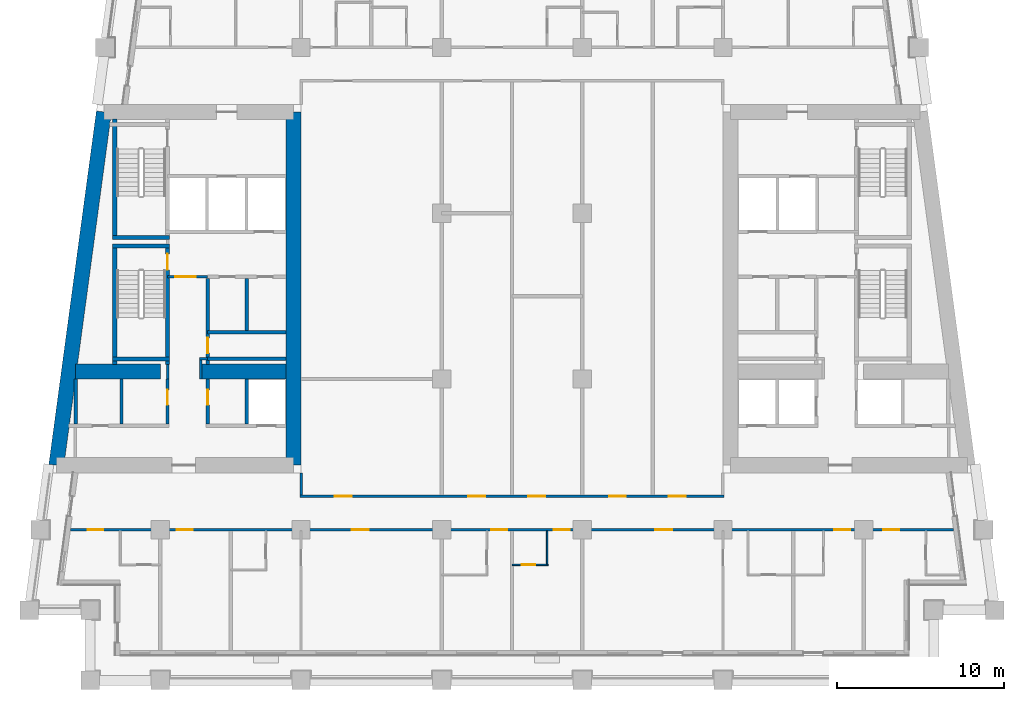
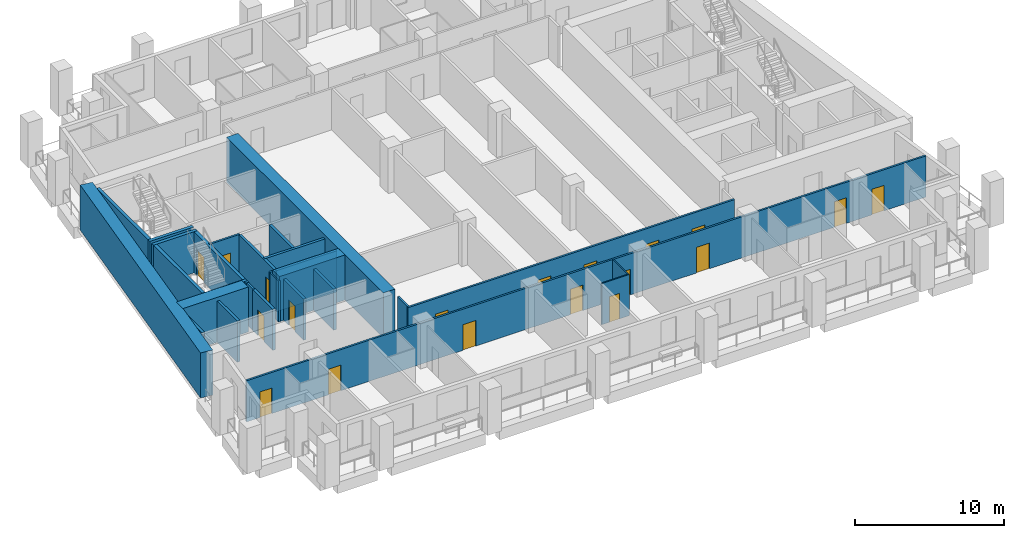
# One storey, part 3 of 13: 28 walls, 19 doors, 19 openings.
"""IFC4 building model written with IfcOpenShell, lengths in metres."""

from ifc_helpers import new_model, si_unit, direction, frame, frame_2d, origin, place, context, subcontext, project, spatial, rectangle, extrude, material, layer, layer_set, type_object, element, fill, save


model = new_model("IFC4")

# Units and contexts
model_context = context("Model", 3, precision=1e-05, world=origin(), true_north=direction((0.0, 1.0)))
body_context = subcontext(model_context, "Body", "Model", "MODEL_VIEW")
ifc_project = project(units=[si_unit("LENGTHUNIT", "METRE"), si_unit("AREAUNIT", "SQUARE_METRE"), si_unit("VOLUMEUNIT", "CUBIC_METRE"), si_unit("PLANEANGLEUNIT", "RADIAN"), si_unit("MASSUNIT", "GRAM", prefix="KILO")], contexts=[model_context])

# Site, building, storey
site_placement = place(None, origin())
site = spatial("IfcSite", under=ifc_project, at=site_placement, CompositionType="ELEMENT")
building_placement = place(site_placement, origin())
building = spatial("IfcBuilding", under=site, at=building_placement, Name="Candeia Pilgrim Tower and Theatre", CompositionType="ELEMENT")
storey_placement = place(building_placement, frame((0.0, 0.0, 158.89990234375)))
storey = spatial("IfcBuildingStorey", under=building, at=storey_placement, Name="L37", CompositionType="ELEMENT", Elevation=158.89990234375)

# Walls
ifc_material_1 = material(Name="Concrete C60/75", Category="concrete")
ifc_layer_1 = layer(ifc_material_1, 0.89990234375)
ifc_layer_set_1 = layer_set([ifc_layer_1], Name="Core wall 900 C60/75")
wall_type_1 = type_object("IfcWallType", Name="Core wall 900 C60/75", PredefinedType="SHEAR", material=ifc_layer_set_1)
wall_1_placement = place(storey_placement, frame((100.35009765625, 131.949951171875, 0.0), z_axis=(0.0, 0.0, 1.0), x_axis=(0.0, -1.0, 0.0)))
element("IfcWall", 1, at=wall_1_placement, inside=storey, type_object=wall_type_1, Name="Core wall W2", PredefinedType="SHEAR", context=body_context, shape_type="SweptSolid", body=[
    extrude(rectangle(XDim=21.099853515625, YDim=0.89990234375, at=frame_2d((10.5498046875, 0.0))), origin(), (0.0, 0.0, 1.0), 3.7001953125),
])
wall_2_placement = place(storey_placement, frame((86.183837890625, 110.85009765625, 0.0), z_axis=(0.0, 0.0, 1.0), x_axis=(0.133410495943, 0.991060865725, 0.0)))
element("IfcWall", 2, at=wall_2_placement, inside=storey, type_object=wall_type_1, Name="Core wall W4", PredefinedType="SHEAR", context=body_context, shape_type="SweptSolid", body=[
    extrude(rectangle(XDim=21.290283203125, YDim=0.89990234375, at=frame_2d((10.64501953125, 0.0))), origin(), (0.0, 0.0, 1.0), 3.7001953125),
])
wall_3_placement = place(storey_placement, frame((87.322998046875, 116.449951171875, 0.0), z_axis=(0.0, 0.0, 1.0), x_axis=(1.0, 0.0, 0.0)))
element("IfcWall", 3, at=wall_3_placement, inside=storey, type_object=wall_type_1, Name="Core wall W5", PredefinedType="SHEAR", context=body_context, shape_type="SweptSolid", body=[
    extrude(rectangle(XDim=5.076904296875, YDim=0.89990234375, at=frame_2d((2.53857421875, 0.0))), origin(), (0.0, 0.0, 1.0), 3.7001953125),
])
wall_4_placement = place(storey_placement, frame((94.800048828125, 116.449951171875, 0.0), z_axis=(0.0, 0.0, 1.0), x_axis=(1.0, 0.0, 0.0)))
element("IfcWall", 4, at=wall_4_placement, inside=storey, type_object=wall_type_1, Name="Core wall W6", PredefinedType="SHEAR", context=body_context, shape_type="SweptSolid", body=[
    extrude(rectangle(XDim=5.099853515625, YDim=0.89990234375, at=frame_2d((2.5498046875, 0.0))), origin(), (0.0, 0.0, 1.0), 3.7001953125),
])

# Wall, opening, door
ifc_material_2 = material(Name="Gypsum board partition on steel studs", Category="steel")
ifc_layer_2 = layer(ifc_material_2, 0.10009765625)
ifc_layer_set_2 = layer_set([ifc_layer_2], Name="PW-100 room partition")
wall_type_2 = type_object("IfcWallType", Name="PW-100 room partition", PredefinedType="PARTITIONING", material=ifc_layer_set_2)
wall_5_placement = place(storey_placement, frame((113.39990234375, 104.89990234375, 0.0), z_axis=(0.0, 0.0, 1.0), x_axis=(1.0, 0.0, 0.0)))
wall_5 = element("IfcWall", 5, at=wall_5_placement, inside=storey, type_object=wall_type_2, Name="Room partition L37-006", PredefinedType="PARTITIONING", context=body_context, shape_type="SweptSolid", body=[
    extrude(rectangle(XDim=2.150146484375, YDim=0.10009765625, at=frame_2d((1.0751953125, 0.0))), origin(), (0.0, 0.0, 1.0), 3.380126953125),
])
opening_1_placement = place(wall_5_placement, frame((0.590087890625, 0.0, 0.0)))
opening_1 = element("IfcOpeningElement", 6, at=opening_1_placement, cuts=wall_5, Name="Opening L37-D026", PredefinedType="OPENING", context=body_context, shape_type="SweptSolid", body=[
    extrude(rectangle(XDim=0.800048828125, YDim=2.10009765625, at=frame_2d((0.39990234375, 1.050048828125))), frame((0.0, 0.06005859375, 0.0), z_axis=(0.0, -1.0, 0.0), x_axis=(1.0, 0.0, 0.0)), (0.0, 0.0, 1.0), 0.1201171875),
])
ifc_material_3 = material(Name="Timber door leaf", Category="wood")
door_type_1 = type_object("IfcDoorType", Name="D-800", OperationType="NOTDEFINED", PredefinedType="DOOR", material=ifc_material_3)
door_1_placement = place(opening_1_placement, origin())
door_1 = element("IfcDoor", 7, at=door_1_placement, inside=storey, type_object=door_type_1, Name="Door L37-D026", OperationType="SINGLE_SWING_LEFT", OverallHeight=2.10009765625, OverallWidth=0.800048828125, PredefinedType="DOOR", context=body_context, shape_type="SweptSolid", body=[
    extrude(rectangle(XDim=0.800048828125, YDim=2.10009765625, at=frame_2d((0.39990234375, 1.050048828125))), frame((0.0, 0.02490234375, 0.0), z_axis=(0.0, -1.0, 0.0), x_axis=(1.0, 0.0, 0.0)), (0.0, 0.0, 1.0), 0.050048828125),
])
fill(opening_1, door_1)

# Walls
wall_6_placement = place(storey_placement, frame((115.5, 104.949951171875, 0.0), z_axis=(0.0, 0.0, 1.0), x_axis=(0.0, 1.0, 0.0)))
element("IfcWall", 8, at=wall_6_placement, inside=storey, type_object=wall_type_2, Name="Room partition L37-085", PredefinedType="PARTITIONING", context=body_context, shape_type="SweptSolid", body=[
    extrude(rectangle(XDim=1.97509765625, YDim=0.10009765625, at=frame_2d((0.987548828125, 0.0))), origin(), (0.0, 0.0, 1.0), 3.380126953125),
])
ifc_layer_3 = layer(ifc_material_2, 0.14990234375)
ifc_layer_set_3 = layer_set([ifc_layer_3], Name="PW-150 lobby wall")
wall_type_3 = type_object("IfcWallType", Name="PW-150 lobby wall", PredefinedType="PARTITIONING", material=ifc_layer_set_3)
wall_7_placement = place(storey_placement, frame((94.72509765625, 117.199951171875, 0.0), z_axis=(0.0, 0.0, 1.0), x_axis=(1.0, 0.0, 0.0)))
element("IfcWall", 9, at=wall_7_placement, inside=storey, type_object=wall_type_3, Name="Lobby wall L37-016", PredefinedType="PARTITIONING", context=body_context, shape_type="SweptSolid", body=[
    extrude(rectangle(XDim=0.501953125, YDim=0.14990234375, at=frame_2d((0.2509765625, 0.0))), origin(), (0.0, 0.0, 1.0), 3.380126953125),
])

# Wall, opening, door
wall_8_placement = place(storey_placement, frame((92.826904296875, 122.10009765625, 0.0), z_axis=(0.0, 0.0, 1.0), x_axis=(1.0, 0.0, 0.0)))
wall_8 = element("IfcWall", 10, at=wall_8_placement, inside=storey, type_object=wall_type_3, Name="Lobby wall L37-025", PredefinedType="PARTITIONING", context=body_context, shape_type="SweptSolid", body=[
    extrude(rectangle(XDim=2.400146484375, YDim=0.14990234375, at=frame_2d((1.2001953125, 0.0))), origin(), (0.0, 0.0, 1.0), 3.380126953125),
])
opening_2_placement = place(wall_8_placement, frame((0.47509765625, 0.0, 0.0)))
opening_2 = element("IfcOpeningElement", 11, at=opening_2_placement, cuts=wall_8, Name="Opening L37-D001", PredefinedType="OPENING", context=body_context, shape_type="SweptSolid", body=[
    extrude(rectangle(XDim=1.199951171875, YDim=2.10009765625, at=frame_2d((0.60009765625, 1.050048828125))), frame((0.0, 0.0849609375, 0.0), z_axis=(0.0, -1.0, 0.0), x_axis=(1.0, 0.0, 0.0)), (0.0, 0.0, 1.0), 0.169921875),
])
ifc_material_4 = material(Name="Steel fire door set", Category="steel")
door_type_2 = type_object("IfcDoorType", Name="D-1200-FD60", OperationType="NOTDEFINED", PredefinedType="DOOR", material=ifc_material_4)
door_2_placement = place(opening_2_placement, origin())
door_2 = element("IfcDoor", 12, at=door_2_placement, inside=storey, type_object=door_type_2, Name="Door L37-D001", OperationType="SINGLE_SWING_RIGHT", OverallHeight=2.10009765625, OverallWidth=1.199951171875, PredefinedType="DOOR", context=body_context, shape_type="SweptSolid", body=[
    extrude(rectangle(XDim=1.199951171875, YDim=2.10009765625, at=frame_2d((0.60009765625, 1.050048828125))), frame((0.0, 0.02490234375, 0.0), z_axis=(0.0, -1.0, 0.0), x_axis=(1.0, 0.0, 0.0)), (0.0, 0.0, 1.0), 0.050048828125),
])
fill(opening_2, door_2)

# Walls
wall_9_placement = place(storey_placement, frame((92.826904296875, 116.0, 0.0), z_axis=(0.0, 0.0, 1.0), x_axis=(0.0, 1.0, 0.0)))
element("IfcWall", 13, at=wall_9_placement, inside=storey, type_object=wall_type_3, Name="Lobby wall L37-057", PredefinedType="PARTITIONING", context=body_context, shape_type="SweptSolid", body=[
    extrude(rectangle(XDim=0.8701171875, YDim=0.14990234375, at=frame_2d((0.43505859375, 0.0))), origin(), (0.0, 0.0, 1.0), 3.380126953125),
])
wall_10_placement = place(storey_placement, frame((94.800048828125, 116.0, 0.0), z_axis=(0.0, 0.0, 1.0), x_axis=(0.0, 1.0, 0.0)))
element("IfcWall", 14, at=wall_10_placement, inside=storey, type_object=wall_type_3, Name="Lobby wall L37-062", PredefinedType="PARTITIONING", context=body_context, shape_type="SweptSolid", body=[
    extrude(rectangle(XDim=1.125, YDim=0.14990234375, at=frame_2d((0.5625, 0.0))), origin(), (0.0, 0.0, 1.0), 3.380126953125),
])

# Wall, openings, doors
ifc_layer_4 = layer(ifc_material_2, 0.14990234375)
ifc_layer_set_4 = layer_set([ifc_layer_4], Name="PW-150 unit wall")
wall_type_4 = type_object("IfcWallType", Name="PW-150 unit wall", PredefinedType="PARTITIONING", material=ifc_layer_set_4)
wall_11_placement = place(storey_placement, frame((87.017578125, 107.0, 0.0), z_axis=(0.0, 0.0, 1.0), x_axis=(1.0, 0.0, 0.0)))
wall_11 = element("IfcWall", 15, at=wall_11_placement, inside=storey, type_object=wall_type_4, Name="Unit wall L37-007", PredefinedType="PARTITIONING", context=body_context, shape_type="SweptSolid", body=[
    extrude(rectangle(XDim=52.7646484375, YDim=0.14990234375, at=frame_2d((26.38232421875, 0.0))), origin(), (0.0, 0.0, 1.0), 3.380126953125),
])
opening_3_placement = place(wall_11_placement, frame((1.0322265625, 0.0, 0.0)))
opening_3 = element("IfcOpeningElement", 16, at=opening_3_placement, cuts=wall_11, Name="Opening L37-D017", PredefinedType="OPENING", context=body_context, shape_type="SweptSolid", body=[
    extrude(rectangle(XDim=0.949951171875, YDim=2.10009765625, at=frame_2d((0.47509765625, 1.050048828125))), frame((0.0, 0.0849609375, 0.0), z_axis=(0.0, -1.0, 0.0), x_axis=(1.0, 0.0, 0.0)), (0.0, 0.0, 1.0), 0.169921875),
])
opening_4_placement = place(wall_11_placement, frame((6.369384765625, 0.0, 0.0)))
opening_4 = element("IfcOpeningElement", 17, at=opening_4_placement, cuts=wall_11, Name="Opening L37-D019", PredefinedType="OPENING", context=body_context, shape_type="SweptSolid", body=[
    extrude(rectangle(XDim=0.949951171875, YDim=2.10009765625, at=frame_2d((0.47509765625, 1.050048828125))), frame((0.0, 0.0849609375, 0.0), z_axis=(0.0, -1.0, 0.0), x_axis=(1.0, 0.0, 0.0)), (0.0, 0.0, 1.0), 0.169921875),
])
opening_5_placement = place(wall_11_placement, frame((16.812255859375, 0.0, 0.0)))
opening_5 = element("IfcOpeningElement", 18, at=opening_5_placement, cuts=wall_11, Name="Opening L37-D020", PredefinedType="OPENING", context=body_context, shape_type="SweptSolid", body=[
    extrude(rectangle(XDim=1.0, YDim=2.10009765625, at=frame_2d((0.5, 1.050048828125))), frame((0.0, 0.0849609375, 0.0), z_axis=(0.0, -1.0, 0.0), x_axis=(1.0, 0.0, 0.0)), (0.0, 0.0, 1.0), 0.169921875),
])
opening_6_placement = place(wall_11_placement, frame((25.1572265625, 0.0, 0.0)))
opening_6 = element("IfcOpeningElement", 19, at=opening_6_placement, cuts=wall_11, Name="Opening L37-D023", PredefinedType="OPENING", context=body_context, shape_type="SweptSolid", body=[
    extrude(rectangle(XDim=0.949951171875, YDim=2.10009765625, at=frame_2d((0.47509765625, 1.050048828125))), frame((0.0, 0.0849609375, 0.0), z_axis=(0.0, -1.0, 0.0), x_axis=(1.0, 0.0, 0.0)), (0.0, 0.0, 1.0), 0.169921875),
])
opening_7_placement = place(wall_11_placement, frame((28.8671875, 0.0, 0.0)))
opening_7 = element("IfcOpeningElement", 20, at=opening_7_placement, cuts=wall_11, Name="Opening L37-D025", PredefinedType="OPENING", context=body_context, shape_type="SweptSolid", body=[
    extrude(rectangle(XDim=0.949951171875, YDim=2.10009765625, at=frame_2d((0.47509765625, 1.050048828125))), frame((0.0, 0.0849609375, 0.0), z_axis=(0.0, -1.0, 0.0), x_axis=(1.0, 0.0, 0.0)), (0.0, 0.0, 1.0), 0.169921875),
])
opening_8_placement = place(wall_11_placement, frame((34.952392578125, 0.0, 0.0)))
opening_8 = element("IfcOpeningElement", 21, at=opening_8_placement, cuts=wall_11, Name="Opening L37-D027", PredefinedType="OPENING", context=body_context, shape_type="SweptSolid", body=[
    extrude(rectangle(XDim=1.0, YDim=2.10009765625, at=frame_2d((0.5, 1.050048828125))), frame((0.0, 0.0849609375, 0.0), z_axis=(0.0, -1.0, 0.0), x_axis=(1.0, 0.0, 0.0)), (0.0, 0.0, 1.0), 0.169921875),
])
opening_9_placement = place(wall_11_placement, frame((45.63232421875, 0.0, 0.0)))
opening_9 = element("IfcOpeningElement", 22, at=opening_9_placement, cuts=wall_11, Name="Opening L37-D030", PredefinedType="OPENING", context=body_context, shape_type="SweptSolid", body=[
    extrude(rectangle(XDim=0.949951171875, YDim=2.10009765625, at=frame_2d((0.47509765625, 1.050048828125))), frame((0.0, 0.0849609375, 0.0), z_axis=(0.0, -1.0, 0.0), x_axis=(1.0, 0.0, 0.0)), (0.0, 0.0, 1.0), 0.169921875),
])
opening_10_placement = place(wall_11_placement, frame((48.560302734375, 0.0, 0.0)))
opening_10 = element("IfcOpeningElement", 23, at=opening_10_placement, cuts=wall_11, Name="Opening L37-D032", PredefinedType="OPENING", context=body_context, shape_type="SweptSolid", body=[
    extrude(rectangle(XDim=0.949951171875, YDim=2.10009765625, at=frame_2d((0.47509765625, 1.050048828125))), frame((0.0, 0.0849609375, 0.0), z_axis=(0.0, -1.0, 0.0), x_axis=(1.0, 0.0, 0.0)), (0.0, 0.0, 1.0), 0.169921875),
])
door_type_3 = type_object("IfcDoorType", Name="D-1000-FD30S", OperationType="NOTDEFINED", PredefinedType="DOOR", material=ifc_material_4)
door_3_placement = place(opening_5_placement, origin())
door_3 = element("IfcDoor", 24, at=door_3_placement, inside=storey, type_object=door_type_3, Name="Door L37-D020", OperationType="SINGLE_SWING_LEFT", OverallHeight=2.10009765625, OverallWidth=1.0, PredefinedType="DOOR", context=body_context, shape_type="SweptSolid", body=[
    extrude(rectangle(XDim=1.0, YDim=2.10009765625, at=frame_2d((0.5, 1.050048828125))), frame((0.0, 0.02490234375, 0.0), z_axis=(0.0, -1.0, 0.0), x_axis=(1.0, 0.0, 0.0)), (0.0, 0.0, 1.0), 0.050048828125),
])
fill(opening_5, door_3)
door_4_placement = place(opening_8_placement, origin())
door_4 = element("IfcDoor", 25, at=door_4_placement, inside=storey, type_object=door_type_3, Name="Door L37-D027", OperationType="SINGLE_SWING_RIGHT", OverallHeight=2.10009765625, OverallWidth=1.0, PredefinedType="DOOR", context=body_context, shape_type="SweptSolid", body=[
    extrude(rectangle(XDim=1.0, YDim=2.10009765625, at=frame_2d((0.5, 1.050048828125))), frame((0.0, 0.02490234375, 0.0), z_axis=(0.0, -1.0, 0.0), x_axis=(1.0, 0.0, 0.0)), (0.0, 0.0, 1.0), 0.050048828125),
])
fill(opening_8, door_4)
door_type_4 = type_object("IfcDoorType", Name="D-950-FD30S", OperationType="NOTDEFINED", PredefinedType="DOOR", material=ifc_material_4)
door_5_placement = place(opening_3_placement, origin())
door_5 = element("IfcDoor", 26, at=door_5_placement, inside=storey, type_object=door_type_4, Name="Door L37-D017", OperationType="SINGLE_SWING_RIGHT", OverallHeight=2.10009765625, OverallWidth=0.949951171875, PredefinedType="DOOR", context=body_context, shape_type="SweptSolid", body=[
    extrude(rectangle(XDim=0.949951171875, YDim=2.10009765625, at=frame_2d((0.47509765625, 1.050048828125))), frame((0.0, 0.02490234375, 0.0), z_axis=(0.0, -1.0, 0.0), x_axis=(1.0, 0.0, 0.0)), (0.0, 0.0, 1.0), 0.050048828125),
])
fill(opening_3, door_5)
door_6_placement = place(opening_4_placement, origin())
door_6 = element("IfcDoor", 27, at=door_6_placement, inside=storey, type_object=door_type_4, Name="Door L37-D019", OperationType="SINGLE_SWING_RIGHT", OverallHeight=2.10009765625, OverallWidth=0.949951171875, PredefinedType="DOOR", context=body_context, shape_type="SweptSolid", body=[
    extrude(rectangle(XDim=0.949951171875, YDim=2.10009765625, at=frame_2d((0.47509765625, 1.050048828125))), frame((0.0, 0.02490234375, 0.0), z_axis=(0.0, -1.0, 0.0), x_axis=(1.0, 0.0, 0.0)), (0.0, 0.0, 1.0), 0.050048828125),
])
fill(opening_4, door_6)
door_7_placement = place(opening_6_placement, origin())
door_7 = element("IfcDoor", 28, at=door_7_placement, inside=storey, type_object=door_type_4, Name="Door L37-D023", OperationType="SINGLE_SWING_RIGHT", OverallHeight=2.10009765625, OverallWidth=0.949951171875, PredefinedType="DOOR", context=body_context, shape_type="SweptSolid", body=[
    extrude(rectangle(XDim=0.949951171875, YDim=2.10009765625, at=frame_2d((0.47509765625, 1.050048828125))), frame((0.0, 0.02490234375, 0.0), z_axis=(0.0, -1.0, 0.0), x_axis=(1.0, 0.0, 0.0)), (0.0, 0.0, 1.0), 0.050048828125),
])
fill(opening_6, door_7)
door_8_placement = place(opening_7_placement, origin())
door_8 = element("IfcDoor", 29, at=door_8_placement, inside=storey, type_object=door_type_4, Name="Door L37-D025", OperationType="SINGLE_SWING_RIGHT", OverallHeight=2.10009765625, OverallWidth=0.949951171875, PredefinedType="DOOR", context=body_context, shape_type="SweptSolid", body=[
    extrude(rectangle(XDim=0.949951171875, YDim=2.10009765625, at=frame_2d((0.47509765625, 1.050048828125))), frame((0.0, 0.02490234375, 0.0), z_axis=(0.0, -1.0, 0.0), x_axis=(1.0, 0.0, 0.0)), (0.0, 0.0, 1.0), 0.050048828125),
])
fill(opening_7, door_8)
door_9_placement = place(opening_9_placement, origin())
door_9 = element("IfcDoor", 30, at=door_9_placement, inside=storey, type_object=door_type_4, Name="Door L37-D030", OperationType="SINGLE_SWING_LEFT", OverallHeight=2.10009765625, OverallWidth=0.949951171875, PredefinedType="DOOR", context=body_context, shape_type="SweptSolid", body=[
    extrude(rectangle(XDim=0.949951171875, YDim=2.10009765625, at=frame_2d((0.47509765625, 1.050048828125))), frame((0.0, 0.02490234375, 0.0), z_axis=(0.0, -1.0, 0.0), x_axis=(1.0, 0.0, 0.0)), (0.0, 0.0, 1.0), 0.050048828125),
])
fill(opening_9, door_9)
door_10_placement = place(opening_10_placement, origin())
door_10 = element("IfcDoor", 31, at=door_10_placement, inside=storey, type_object=door_type_4, Name="Door L37-D032", OperationType="SINGLE_SWING_LEFT", OverallHeight=2.10009765625, OverallWidth=0.949951171875, PredefinedType="DOOR", context=body_context, shape_type="SweptSolid", body=[
    extrude(rectangle(XDim=0.949951171875, YDim=2.10009765625, at=frame_2d((0.47509765625, 1.050048828125))), frame((0.0, 0.02490234375, 0.0), z_axis=(0.0, -1.0, 0.0), x_axis=(1.0, 0.0, 0.0)), (0.0, 0.0, 1.0), 0.050048828125),
])
fill(opening_10, door_10)

wall_12_placement = place(storey_placement, frame((100.72509765625, 109.0, 0.0), z_axis=(0.0, 0.0, 1.0), x_axis=(1.0, 0.0, 0.0)))
wall_12 = element("IfcWall", 32, at=wall_12_placement, inside=storey, type_object=wall_type_4, Name="Unit wall L37-008", PredefinedType="PARTITIONING", context=body_context, shape_type="SweptSolid", body=[
    extrude(rectangle(XDim=25.349853515625, YDim=0.14990234375, at=frame_2d((12.6748046875, 0.0))), origin(), (0.0, 0.0, 1.0), 3.380126953125),
])
opening_11_placement = place(wall_12_placement, frame((2.10009765625, 0.0, 0.0)))
opening_11 = element("IfcOpeningElement", 33, at=opening_11_placement, cuts=wall_12, Name="Opening L37-D050", PredefinedType="OPENING", context=body_context, shape_type="SweptSolid", body=[
    extrude(rectangle(XDim=1.0, YDim=2.10009765625, at=frame_2d((0.5, 1.050048828125))), frame((0.0, 0.0849609375, 0.0), z_axis=(0.0, -1.0, 0.0), x_axis=(1.0, 0.0, 0.0)), (0.0, 0.0, 1.0), 0.169921875),
])
opening_12_placement = place(wall_12_placement, frame((10.074951171875, 0.0, 0.0)))
opening_12 = element("IfcOpeningElement", 34, at=opening_12_placement, cuts=wall_12, Name="Opening L37-D052", PredefinedType="OPENING", context=body_context, shape_type="SweptSolid", body=[
    extrude(rectangle(XDim=1.0, YDim=2.10009765625, at=frame_2d((0.5, 1.050048828125))), frame((0.0, 0.0849609375, 0.0), z_axis=(0.0, -1.0, 0.0), x_axis=(1.0, 0.0, 0.0)), (0.0, 0.0, 1.0), 0.169921875),
])
opening_13_placement = place(wall_12_placement, frame((13.64990234375, 0.0, 0.0)))
opening_13 = element("IfcOpeningElement", 35, at=opening_13_placement, cuts=wall_12, Name="Opening L37-D054", PredefinedType="OPENING", context=body_context, shape_type="SweptSolid", body=[
    extrude(rectangle(XDim=1.0, YDim=2.10009765625, at=frame_2d((0.5, 1.050048828125))), frame((0.0, 0.0849609375, 0.0), z_axis=(0.0, -1.0, 0.0), x_axis=(1.0, 0.0, 0.0)), (0.0, 0.0, 1.0), 0.169921875),
])
opening_14_placement = place(wall_12_placement, frame((18.47509765625, 0.0, 0.0)))
opening_14 = element("IfcOpeningElement", 36, at=opening_14_placement, cuts=wall_12, Name="Opening L37-D056", PredefinedType="OPENING", context=body_context, shape_type="SweptSolid", body=[
    extrude(rectangle(XDim=1.0, YDim=2.10009765625, at=frame_2d((0.5, 1.050048828125))), frame((0.0, 0.0849609375, 0.0), z_axis=(0.0, -1.0, 0.0), x_axis=(1.0, 0.0, 0.0)), (0.0, 0.0, 1.0), 0.169921875),
])
opening_15_placement = place(wall_12_placement, frame((22.050048828125, 0.0, 0.0)))
opening_15 = element("IfcOpeningElement", 37, at=opening_15_placement, cuts=wall_12, Name="Opening L37-D057", PredefinedType="OPENING", context=body_context, shape_type="SweptSolid", body=[
    extrude(rectangle(XDim=1.0, YDim=2.10009765625, at=frame_2d((0.5, 1.050048828125))), frame((0.0, 0.0849609375, 0.0), z_axis=(0.0, -1.0, 0.0), x_axis=(1.0, 0.0, 0.0)), (0.0, 0.0, 1.0), 0.169921875),
])
door_11_placement = place(opening_11_placement, origin())
door_11 = element("IfcDoor", 38, at=door_11_placement, inside=storey, type_object=door_type_3, Name="Door L37-D050", OperationType="SINGLE_SWING_LEFT", OverallHeight=2.10009765625, OverallWidth=1.0, PredefinedType="DOOR", context=body_context, shape_type="SweptSolid", body=[
    extrude(rectangle(XDim=1.0, YDim=2.10009765625, at=frame_2d((0.5, 1.050048828125))), frame((0.0, 0.02490234375, 0.0), z_axis=(0.0, -1.0, 0.0), x_axis=(1.0, 0.0, 0.0)), (0.0, 0.0, 1.0), 0.050048828125),
])
fill(opening_11, door_11)
door_12_placement = place(opening_12_placement, origin())
door_12 = element("IfcDoor", 39, at=door_12_placement, inside=storey, type_object=door_type_3, Name="Door L37-D052", OperationType="SINGLE_SWING_LEFT", OverallHeight=2.10009765625, OverallWidth=1.0, PredefinedType="DOOR", context=body_context, shape_type="SweptSolid", body=[
    extrude(rectangle(XDim=1.0, YDim=2.10009765625, at=frame_2d((0.5, 1.050048828125))), frame((0.0, 0.02490234375, 0.0), z_axis=(0.0, -1.0, 0.0), x_axis=(1.0, 0.0, 0.0)), (0.0, 0.0, 1.0), 0.050048828125),
])
fill(opening_12, door_12)
door_13_placement = place(opening_13_placement, origin())
door_13 = element("IfcDoor", 40, at=door_13_placement, inside=storey, type_object=door_type_3, Name="Door L37-D054", OperationType="SINGLE_SWING_LEFT", OverallHeight=2.10009765625, OverallWidth=1.0, PredefinedType="DOOR", context=body_context, shape_type="SweptSolid", body=[
    extrude(rectangle(XDim=1.0, YDim=2.10009765625, at=frame_2d((0.5, 1.050048828125))), frame((0.0, 0.02490234375, 0.0), z_axis=(0.0, -1.0, 0.0), x_axis=(1.0, 0.0, 0.0)), (0.0, 0.0, 1.0), 0.050048828125),
])
fill(opening_13, door_13)
door_14_placement = place(opening_14_placement, origin())
door_14 = element("IfcDoor", 41, at=door_14_placement, inside=storey, type_object=door_type_3, Name="Door L37-D056", OperationType="SINGLE_SWING_LEFT", OverallHeight=2.10009765625, OverallWidth=1.0, PredefinedType="DOOR", context=body_context, shape_type="SweptSolid", body=[
    extrude(rectangle(XDim=1.0, YDim=2.10009765625, at=frame_2d((0.5, 1.050048828125))), frame((0.0, 0.02490234375, 0.0), z_axis=(0.0, -1.0, 0.0), x_axis=(1.0, 0.0, 0.0)), (0.0, 0.0, 1.0), 0.050048828125),
])
fill(opening_14, door_14)
door_15_placement = place(opening_15_placement, origin())
door_15 = element("IfcDoor", 42, at=door_15_placement, inside=storey, type_object=door_type_3, Name="Door L37-D057", OperationType="SINGLE_SWING_RIGHT", OverallHeight=2.10009765625, OverallWidth=1.0, PredefinedType="DOOR", context=body_context, shape_type="SweptSolid", body=[
    extrude(rectangle(XDim=1.0, YDim=2.10009765625, at=frame_2d((0.5, 1.050048828125))), frame((0.0, 0.02490234375, 0.0), z_axis=(0.0, -1.0, 0.0), x_axis=(1.0, 0.0, 0.0)), (0.0, 0.0, 1.0), 0.050048828125),
])
fill(opening_15, door_15)

# Walls
wall_13_placement = place(storey_placement, frame((100.800048828125, 109.074951171875, 0.0), z_axis=(0.0, 0.0, 1.0), x_axis=(0.0, 1.0, 0.0)))
element("IfcWall", 43, at=wall_13_placement, inside=storey, type_object=wall_type_4, Name="Unit wall L37-074", PredefinedType="PARTITIONING", context=body_context, shape_type="SweptSolid", body=[
    extrude(rectangle(XDim=1.324951171875, YDim=0.14990234375, at=frame_2d((0.66259765625, 0.0))), origin(), (0.0, 0.0, 1.0), 3.380126953125),
])
ifc_material_5 = material(Name="Concrete C40/50", Category="concrete")
ifc_layer_5 = layer(ifc_material_5, 0.199951171875)
ifc_layer_set_5 = layer_set([ifc_layer_5], Name="SW-200 shaft wall")
wall_type_5 = type_object("IfcWallType", Name="SW-200 shaft wall", PredefinedType="PARTITIONING", material=ifc_layer_set_5)
for number, where, z_axis, x_axis, name in (
    (44, (95.22705078125, 117.199951171875, 0.0), (0.0, 0.0, 1.0), (1.0, 0.0, 0.0), "Shaft wall L37-014"),
    (45, (95.22705078125, 118.800048828125, 0.0), (0.0, 0.0, 1.0), (1.0, 0.0, 0.0), "Shaft wall L37-020"),
):
    element("IfcWall", number, at=place(storey_placement, frame(where, z_axis=z_axis, x_axis=x_axis)), inside=storey, type_object=wall_type_5, Name=name, PredefinedType="PARTITIONING", context=body_context, shape_type="SweptSolid", body=[
        extrude(rectangle(XDim=4.6728515625, YDim=0.199951171875, at=frame_2d((2.33642578125, 0.0))), origin(), (0.0, 0.0, 1.0), 3.380126953125),
    ])
for number, where, z_axis, x_axis, name in (
    (46, (87.350341796875, 113.300048828125, 0.0), (0.0, 0.0, 1.0), (0.0, 1.0, 0.0), "Shaft wall L37-049"),
    (47, (90.077392578125, 113.300048828125, 0.0), (0.0, 0.0, 1.0), (0.0, 1.0, 0.0), "Shaft wall L37-054"),
):
    element("IfcWall", number, at=place(storey_placement, frame(where, z_axis=z_axis, x_axis=x_axis)), inside=storey, type_object=wall_type_5, Name=name, PredefinedType="PARTITIONING", context=body_context, shape_type="SweptSolid", body=[
        extrude(rectangle(XDim=2.699951171875, YDim=0.199951171875, at=frame_2d((1.35009765625, 0.0))), origin(), (0.0, 0.0, 1.0), 3.380126953125),
    ])

# Wall, opening, door
wall_14_placement = place(storey_placement, frame((92.826904296875, 113.300048828125, 0.0), z_axis=(0.0, 0.0, 1.0), x_axis=(0.0, 1.0, 0.0)))
wall_14 = element("IfcWall", 48, at=wall_14_placement, inside=storey, type_object=wall_type_5, Name="Shaft wall L37-056", PredefinedType="PARTITIONING", context=body_context, shape_type="SweptSolid", body=[
    extrude(rectangle(XDim=2.699951171875, YDim=0.199951171875, at=frame_2d((1.35009765625, 0.0))), origin(), (0.0, 0.0, 1.0), 3.380126953125),
])
opening_16_placement = place(wall_14_placement, frame((1.14990234375, 0.0, 0.0)))
opening_16 = element("IfcOpeningElement", 49, at=opening_16_placement, cuts=wall_14, Name="Opening L37-D008", PredefinedType="OPENING", context=body_context, shape_type="SweptSolid", body=[
    extrude(rectangle(XDim=0.89990234375, YDim=2.10009765625, at=frame_2d((0.449951171875, 1.050048828125))), frame((0.0, 0.10986328125, 0.0), z_axis=(0.0, -1.0, 0.0), x_axis=(1.0, 0.0, 0.0)), (0.0, 0.0, 1.0), 0.219970703125),
])
door_type_5 = type_object("IfcDoorType", Name="D-900-FD60", OperationType="NOTDEFINED", PredefinedType="DOOR", material=ifc_material_4)
door_16_placement = place(opening_16_placement, origin())
door_16 = element("IfcDoor", 50, at=door_16_placement, inside=storey, type_object=door_type_5, Name="Door L37-D008", OperationType="SINGLE_SWING_RIGHT", OverallHeight=2.10009765625, OverallWidth=0.89990234375, PredefinedType="DOOR", context=body_context, shape_type="SweptSolid", body=[
    extrude(rectangle(XDim=0.89990234375, YDim=2.10009765625, at=frame_2d((0.449951171875, 1.050048828125))), frame((0.0, 0.02490234375, 0.0), z_axis=(0.0, -1.0, 0.0), x_axis=(1.0, 0.0, 0.0)), (0.0, 0.0, 1.0), 0.050048828125),
])
fill(opening_16, door_16)

wall_15_placement = place(storey_placement, frame((95.22705078125, 113.300048828125, 0.0), z_axis=(0.0, 0.0, 1.0), x_axis=(0.0, 1.0, 0.0)))
wall_15 = element("IfcWall", 51, at=wall_15_placement, inside=storey, type_object=wall_type_5, Name="Shaft wall L37-064", PredefinedType="PARTITIONING", context=body_context, shape_type="SweptSolid", body=[
    extrude(rectangle(XDim=2.699951171875, YDim=0.199951171875, at=frame_2d((1.35009765625, 0.0))), origin(), (0.0, 0.0, 1.0), 3.380126953125),
])
opening_17_placement = place(wall_15_placement, frame((1.14990234375, 0.0, 0.0)))
opening_17 = element("IfcOpeningElement", 52, at=opening_17_placement, cuts=wall_15, Name="Opening L37-D009", PredefinedType="OPENING", context=body_context, shape_type="SweptSolid", body=[
    extrude(rectangle(XDim=0.89990234375, YDim=2.10009765625, at=frame_2d((0.449951171875, 1.050048828125))), frame((0.0, 0.10986328125, 0.0), z_axis=(0.0, -1.0, 0.0), x_axis=(1.0, 0.0, 0.0)), (0.0, 0.0, 1.0), 0.219970703125),
])
door_17_placement = place(opening_17_placement, origin())
door_17 = element("IfcDoor", 53, at=door_17_placement, inside=storey, type_object=door_type_5, Name="Door L37-D009", OperationType="SINGLE_SWING_LEFT", OverallHeight=2.10009765625, OverallWidth=0.89990234375, PredefinedType="DOOR", context=body_context, shape_type="SweptSolid", body=[
    extrude(rectangle(XDim=0.89990234375, YDim=2.10009765625, at=frame_2d((0.449951171875, 1.050048828125))), frame((0.0, 0.02490234375, 0.0), z_axis=(0.0, -1.0, 0.0), x_axis=(1.0, 0.0, 0.0)), (0.0, 0.0, 1.0), 0.050048828125),
])
fill(opening_17, door_17)

wall_16_placement = place(storey_placement, frame((95.22705078125, 116.8701171875, 0.0), z_axis=(0.0, 0.0, 1.0), x_axis=(0.0, 1.0, 0.0)))
wall_16 = element("IfcWall", 54, at=wall_16_placement, inside=storey, type_object=wall_type_5, Name="Shaft wall L37-065", PredefinedType="PARTITIONING", context=body_context, shape_type="SweptSolid", body=[
    extrude(rectangle(XDim=5.1298828125, YDim=0.199951171875, at=frame_2d((2.56494140625, 0.0))), origin(), (0.0, 0.0, 1.0), 3.380126953125),
])
opening_18_placement = place(wall_16_placement, frame((0.679931640625, 0.0, 0.0)))
opening_18 = element("IfcOpeningElement", 55, at=opening_18_placement, cuts=wall_16, Name="Opening L37-D006", PredefinedType="OPENING", context=body_context, shape_type="SweptSolid", body=[
    extrude(rectangle(XDim=0.89990234375, YDim=2.10009765625, at=frame_2d((0.449951171875, 1.050048828125))), frame((0.0, 0.10986328125, 0.0), z_axis=(0.0, -1.0, 0.0), x_axis=(1.0, 0.0, 0.0)), (0.0, 0.0, 1.0), 0.219970703125),
])
door_18_placement = place(opening_18_placement, origin())
door_18 = element("IfcDoor", 56, at=door_18_placement, inside=storey, type_object=door_type_5, Name="Door L37-D006", OperationType="SINGLE_SWING_LEFT", OverallHeight=2.10009765625, OverallWidth=0.89990234375, PredefinedType="DOOR", context=body_context, shape_type="SweptSolid", body=[
    extrude(rectangle(XDim=0.89990234375, YDim=2.10009765625, at=frame_2d((0.449951171875, 1.050048828125))), frame((0.0, 0.02490234375, 0.0), z_axis=(0.0, -1.0, 0.0), x_axis=(1.0, 0.0, 0.0)), (0.0, 0.0, 1.0), 0.050048828125),
])
fill(opening_18, door_18)

# Walls
wall_17_placement = place(storey_placement, frame((97.5634765625, 113.300048828125, 0.0), z_axis=(0.0, 0.0, 1.0), x_axis=(0.0, 1.0, 0.0)))
element("IfcWall", 57, at=wall_17_placement, inside=storey, type_object=wall_type_5, Name="Shaft wall L37-069", PredefinedType="PARTITIONING", context=body_context, shape_type="SweptSolid", body=[
    extrude(rectangle(XDim=2.699951171875, YDim=0.199951171875, at=frame_2d((1.35009765625, 0.0))), origin(), (0.0, 0.0, 1.0), 3.380126953125),
])
wall_18_placement = place(storey_placement, frame((97.5634765625, 118.89990234375, 0.0), z_axis=(0.0, 0.0, 1.0), x_axis=(0.0, 1.0, 0.0)))
element("IfcWall", 58, at=wall_18_placement, inside=storey, type_object=wall_type_5, Name="Shaft wall L37-070", PredefinedType="PARTITIONING", context=body_context, shape_type="SweptSolid", body=[
    extrude(rectangle(XDim=3.10009765625, YDim=0.199951171875, at=frame_2d((1.550048828125, 0.0))), origin(), (0.0, 0.0, 1.0), 3.380126953125),
])
ifc_layer_6 = layer(ifc_material_5, 0.25)
ifc_layer_set_6 = layer_set([ifc_layer_6], Name="SW-250 stair wall")
wall_type_6 = type_object("IfcWallType", Name="SW-250 stair wall", PredefinedType="PARTITIONING", material=ifc_layer_set_6)
for number, where, z_axis, x_axis, name in (
    (59, (89.552001953125, 117.199951171875, 0.0), (0.0, 0.0, 1.0), (1.0, 0.0, 0.0), "Stair wall L37-018"),
    (60, (89.552001953125, 123.949951171875, 0.0), (0.0, 0.0, 1.0), (1.0, 0.0, 0.0), "Stair wall L37-027"),
    (61, (89.552001953125, 124.449951171875, 0.0), (0.0, 0.0, 1.0), (1.0, 0.0, 0.0), "Stair wall L37-029"),
):
    element("IfcWall", number, at=place(storey_placement, frame(where, z_axis=z_axis, x_axis=x_axis)), inside=storey, type_object=wall_type_6, Name=name, PredefinedType="PARTITIONING", context=body_context, shape_type="SweptSolid", body=[
        extrude(rectangle(XDim=3.39990234375, YDim=0.25, at=frame_2d((1.699951171875, 0.0))), origin(), (0.0, 0.0, 1.0), 3.380126953125),
    ])
wall_19_placement = place(storey_placement, frame((89.677001953125, 116.8701171875, 0.0), z_axis=(0.0, 0.0, 1.0), x_axis=(0.0, 1.0, 0.0)))
element("IfcWall", 62, at=wall_19_placement, inside=storey, type_object=wall_type_6, Name="Stair wall L37-051", PredefinedType="PARTITIONING", context=body_context, shape_type="SweptSolid", body=[
    extrude(rectangle(XDim=6.954833984375, YDim=0.25, at=frame_2d((3.4775390625, 0.0))), origin(), (0.0, 0.0, 1.0), 3.380126953125),
])
wall_20_placement = place(storey_placement, frame((89.677001953125, 124.574951171875, 0.0), z_axis=(0.0, 0.0, 1.0), x_axis=(0.0, 1.0, 0.0)))
element("IfcWall", 63, at=wall_20_placement, inside=storey, type_object=wall_type_6, Name="Stair wall L37-052", PredefinedType="PARTITIONING", context=body_context, shape_type="SweptSolid", body=[
    extrude(rectangle(XDim=6.955078125, YDim=0.25, at=frame_2d((3.4775390625, 0.0))), origin(), (0.0, 0.0, 1.0), 3.380126953125),
])

# Wall, opening, door
wall_21_placement = place(storey_placement, frame((92.826904296875, 116.8701171875, 0.0), z_axis=(0.0, 0.0, 1.0), x_axis=(0.0, 1.0, 0.0)))
wall_21 = element("IfcWall", 64, at=wall_21_placement, inside=storey, type_object=wall_type_6, Name="Stair wall L37-059", PredefinedType="PARTITIONING", context=body_context, shape_type="SweptSolid", body=[
    extrude(rectangle(XDim=6.954833984375, YDim=0.25, at=frame_2d((3.4775390625, 0.0))), origin(), (0.0, 0.0, 1.0), 3.380126953125),
])
opening_19_placement = place(wall_21_placement, frame((5.655029296875, 0.0, 0.0)))
opening_19 = element("IfcOpeningElement", 65, at=opening_19_placement, cuts=wall_21, Name="Opening L37-D004", PredefinedType="OPENING", context=body_context, shape_type="SweptSolid", body=[
    extrude(rectangle(XDim=0.949951171875, YDim=2.10009765625, at=frame_2d((0.47509765625, 1.050048828125))), frame((0.0, 0.135009765625, 0.0), z_axis=(0.0, -1.0, 0.0), x_axis=(1.0, 0.0, 0.0)), (0.0, 0.0, 1.0), 0.27001953125),
])
door_type_6 = type_object("IfcDoorType", Name="D-950-FD60", OperationType="NOTDEFINED", PredefinedType="DOOR", material=ifc_material_4)
door_19_placement = place(opening_19_placement, origin())
door_19 = element("IfcDoor", 66, at=door_19_placement, inside=storey, type_object=door_type_6, Name="Door L37-D004", OperationType="SINGLE_SWING_LEFT", OverallHeight=2.10009765625, OverallWidth=0.949951171875, PredefinedType="DOOR", context=body_context, shape_type="SweptSolid", body=[
    extrude(rectangle(XDim=0.949951171875, YDim=2.10009765625, at=frame_2d((0.47509765625, 1.050048828125))), frame((0.0, 0.02490234375, 0.0), z_axis=(0.0, -1.0, 0.0), x_axis=(1.0, 0.0, 0.0)), (0.0, 0.0, 1.0), 0.050048828125),
])
fill(opening_19, door_19)

save(model, "model.ifc")
